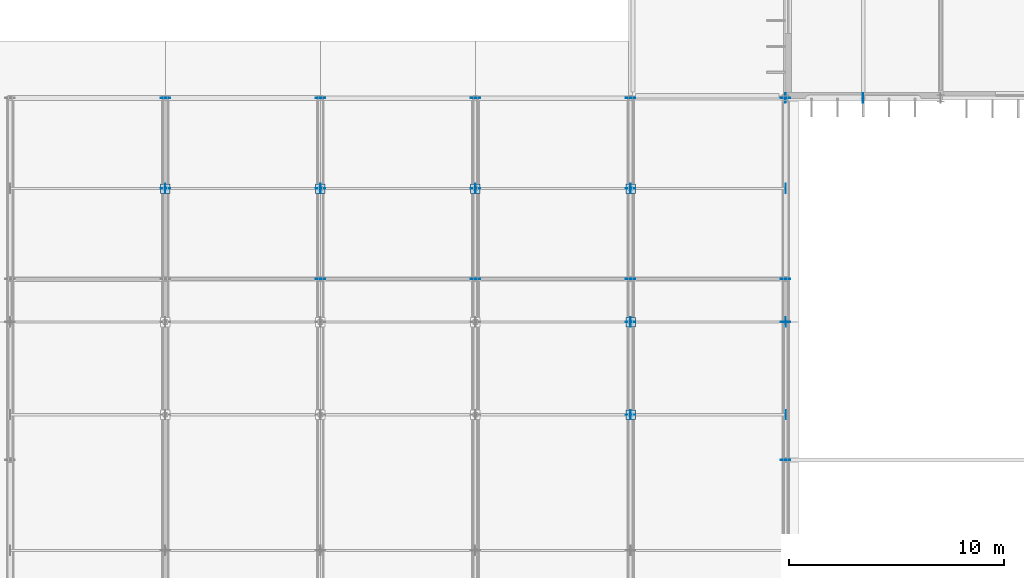
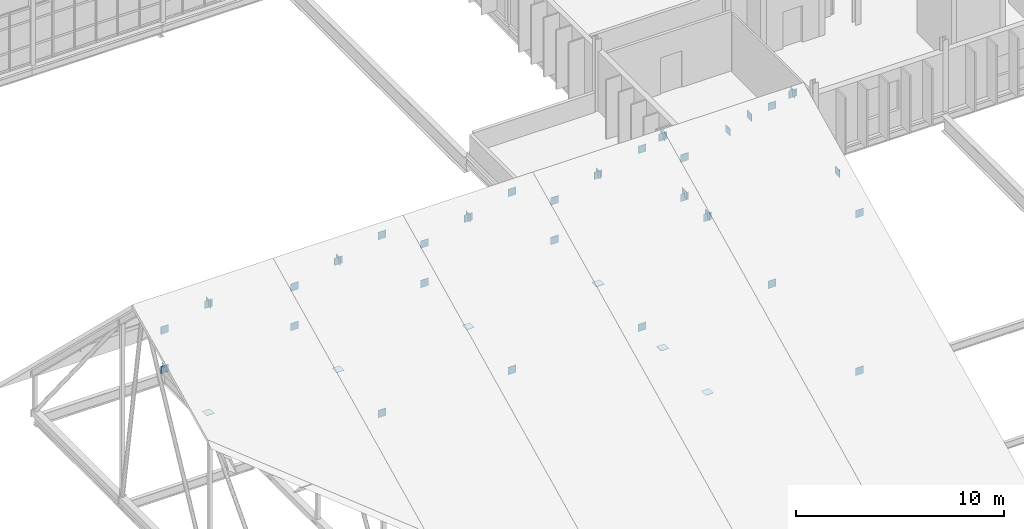
# One storey, part 71 of 99: 44 plates.
"""IFC4 building model written with IfcOpenShell, lengths in metres."""

from ifc_helpers import new_model, si_unit, direction, frame, origin, origin_2d, place, context, subcontext, project, spatial, rectangle, extrude, material, layer, layer_set, type_object, element, save


model = new_model("IFC4")

# Units and contexts
model_context = context("Model", 3, precision=1e-05, world=origin(), true_north=direction((0.0, 1.0)))
body_context = subcontext(model_context, "Body", "Model", "MODEL_VIEW")
ifc_project = project(units=[si_unit("LENGTHUNIT", "METRE"), si_unit("AREAUNIT", "SQUARE_METRE"), si_unit("VOLUMEUNIT", "CUBIC_METRE"), si_unit("PLANEANGLEUNIT", "RADIAN"), si_unit("MASSUNIT", "GRAM", prefix="KILO")], contexts=[model_context])

# Site, building, storey
site_placement = place(None, origin())
site = spatial("IfcSite", under=ifc_project, at=site_placement, CompositionType="ELEMENT")
building_placement = place(site_placement, origin())
building = spatial("IfcBuilding", under=site, at=building_placement, Name="Qelthora Terrace Specialist Clinic", CompositionType="ELEMENT")
storey_placement = place(building_placement, frame((0.0, 0.0, 9.0)))
storey = spatial("IfcBuildingStorey", under=building, at=storey_placement, Name="L02", CompositionType="ELEMENT", Elevation=9.0)

# Plates
ifc_material = material(Name="Steel S355", Category="steel")
ifc_layer_1 = layer(ifc_material, 0.011962890625)
ifc_layer_set_1 = layer_set([ifc_layer_1], Name="Steel S355")
plate_type_1 = type_object("IfcPlateType", Name="PLT-CAP-360X360X12", PredefinedType="USERDEFINED", material=ifc_layer_set_1)
for number, where, z_axis, x_axis, name in (
    (1, (64.800048828125, 29.39990234375, -0.05615234375), (0.0, 0.0, 1.0), (1.0, 0.0, 0.0), "Steel truss node plate GPLT-0024"),
    (2, (72.0, 29.39990234375, -0.05615234375), (0.0, 0.0, 1.0), (1.0, 0.0, 0.0), "Steel truss node plate GPLT-0040"),
    (3, (79.199951171875, 29.39990234375, -0.05615234375), (0.0, 0.0, 1.0), (1.0, 0.0, 0.0), "Steel truss node plate GPLT-0056"),
    (4, (86.39990234375, 23.199951171875, -0.05615234375), (0.0, 0.0, 1.0), (1.0, 0.0, 0.0), "Steel truss node plate GPLT-0069"),
    (5, (86.39990234375, 29.39990234375, -0.05615234375), (0.0, 0.0, 1.0), (1.0, 0.0, 0.0), "Steel truss node plate GPLT-0072"),
    (6, (86.39990234375, 18.89990234375, -0.05615234375), (0.0, 0.0, 1.0), (1.0, 0.0, 0.0), "Steel truss node plate GPLT-0075"),
):
    element("IfcPlate", number, at=place(storey_placement, frame(where, z_axis=z_axis, x_axis=x_axis)), inside=storey, type_object=plate_type_1, Name=name, ObjectType="GUSSET PLATE", PredefinedType="USERDEFINED", context=body_context, shape_type="SweptSolid", body=[
        extrude(rectangle(XDim=0.43994140625, YDim=0.43994140625, at=origin_2d()), origin(), (0.0, 0.0, 1.0), 0.011962890625),
    ])
for number, where, z_axis, x_axis, name in (
    (7, (86.39990234375, 18.89990234375, 10.109375), (0.0, 0.0, 1.0), (1.0, 0.0, 0.0), "Steel truss node plate GPLT-0103"),
    (8, (93.60009765625, 18.89990234375, 10.109375), (0.0, 0.0, 1.0), (1.0, 0.0, 0.0), "Steel truss node plate GPLT-0104"),
    (9, (86.39990234375, 23.199951171875, 12.154052734375), (0.0, 0.0, 1.0), (1.0, 0.0, 0.0), "Steel truss node plate GPLT-0109"),
    (10, (93.60009765625, 23.199951171875, 12.154052734375), (0.0, 0.0, 1.0), (1.0, 0.0, 0.0), "Steel truss node plate GPLT-0110"),
    (11, (64.800048828125, 29.39990234375, 6.163330078125), (0.0, 0.0, 1.0), (1.0, 0.0, 0.0), "Steel truss node plate GPLT-0112"),
    (12, (72.0, 29.39990234375, 6.163330078125), (0.0, 0.0, 1.0), (1.0, 0.0, 0.0), "Steel truss node plate GPLT-0113"),
    (13, (79.199951171875, 29.39990234375, 6.163330078125), (0.0, 0.0, 1.0), (1.0, 0.0, 0.0), "Steel truss node plate GPLT-0114"),
    (14, (86.39990234375, 29.39990234375, 6.163330078125), (0.0, 0.0, 1.0), (1.0, 0.0, 0.0), "Steel truss node plate GPLT-0115"),
    (15, (93.60009765625, 29.39990234375, 6.163330078125), (0.0, 0.0, 1.0), (1.0, 0.0, 0.0), "Steel truss node plate GPLT-0116"),
):
    element("IfcPlate", number, at=place(storey_placement, frame(where, z_axis=z_axis, x_axis=x_axis)), inside=storey, type_object=plate_type_1, Name=name, ObjectType="GUSSET PLATE", PredefinedType="USERDEFINED", context=body_context, shape_type="SweptSolid", body=[
        extrude(rectangle(XDim=0.011962890625, YDim=0.43994140625, at=origin_2d()), origin(), (0.0, 0.0, 1.0), 0.43994140625),
    ])
ifc_layer_2 = layer(ifc_material, 0.02001953125)
ifc_layer_set_2 = layer_set([ifc_layer_2], Name="Steel S355")
plate_type_2 = type_object("IfcPlateType", Name="PLT-GUS-480X480X20", PredefinedType="USERDEFINED", material=ifc_layer_set_2)
for number, where, z_axis, x_axis, name in (
    (16, (64.800048828125, 33.60009765625, -0.27001953125), (0.0, 0.0, 1.0), (1.0, 0.0, 0.0), "Steel truss node plate GPLT-0014"),
    (17, (64.800048828125, 29.39990234375, 6.09912109375), (0.0, 0.0, 1.0), (1.0, 0.0, 0.0), "Steel truss node plate GPLT-0023"),
    (18, (64.800048828125, 33.60009765625, 2.041015625), (0.0, 0.0, 1.0), (1.0, 0.0, 0.0), "Steel truss node plate GPLT-0025"),
    (19, (72.0, 25.199951171875, -0.27001953125), (0.0, 0.0, 1.0), (1.0, 0.0, 0.0), "Steel truss node plate GPLT-0029"),
    (20, (72.0, 33.60009765625, -0.27001953125), (0.0, 0.0, 1.0), (1.0, 0.0, 0.0), "Steel truss node plate GPLT-0030"),
    (21, (72.0, 25.199951171875, 10.157470703125), (0.0, 0.0, 1.0), (1.0, 0.0, 0.0), "Steel truss node plate GPLT-0038"),
    (22, (72.0, 29.39990234375, 6.09912109375), (0.0, 0.0, 1.0), (1.0, 0.0, 0.0), "Steel truss node plate GPLT-0039"),
    (23, (72.0, 33.60009765625, 2.041015625), (0.0, 0.0, 1.0), (1.0, 0.0, 0.0), "Steel truss node plate GPLT-0041"),
    (24, (79.199951171875, 25.199951171875, -0.27001953125), (0.0, 0.0, 1.0), (1.0, 0.0, 0.0), "Steel truss node plate GPLT-0045"),
    (25, (79.199951171875, 33.60009765625, -0.27001953125), (0.0, 0.0, 1.0), (1.0, 0.0, 0.0), "Steel truss node plate GPLT-0046"),
    (26, (79.199951171875, 25.199951171875, 10.157470703125), (0.0, 0.0, 1.0), (1.0, 0.0, 0.0), "Steel truss node plate GPLT-0054"),
    (27, (79.199951171875, 29.39990234375, 6.09912109375), (0.0, 0.0, 1.0), (1.0, 0.0, 0.0), "Steel truss node plate GPLT-0055"),
    (28, (79.199951171875, 33.60009765625, 2.041015625), (0.0, 0.0, 1.0), (1.0, 0.0, 0.0), "Steel truss node plate GPLT-0057"),
    (29, (86.39990234375, 25.199951171875, -0.27001953125), (0.0, 0.0, 1.0), (1.0, 0.0, 0.0), "Steel truss node plate GPLT-0061"),
    (30, (86.39990234375, 33.60009765625, -0.27001953125), (0.0, 0.0, 1.0), (1.0, 0.0, 0.0), "Steel truss node plate GPLT-0062"),
    (31, (86.39990234375, 18.89990234375, 9.993408203125), (0.0, 0.0, 1.0), (1.0, 0.0, 0.0), "Steel truss node plate GPLT-0067"),
    (32, (86.39990234375, 23.199951171875, 12.090087890625), (0.0, 0.0, 1.0), (1.0, 0.0, 0.0), "Steel truss node plate GPLT-0068"),
    (33, (86.39990234375, 25.199951171875, 10.157470703125), (0.0, 0.0, 1.0), (1.0, 0.0, 0.0), "Steel truss node plate GPLT-0070"),
    (34, (86.39990234375, 29.39990234375, 6.09912109375), (0.0, 0.0, 1.0), (1.0, 0.0, 0.0), "Steel truss node plate GPLT-0071"),
    (35, (86.39990234375, 33.60009765625, 2.041015625), (0.0, 0.0, 1.0), (1.0, 0.0, 0.0), "Steel truss node plate GPLT-0073"),
    (36, (93.60009765625, 16.800048828125, -0.27001953125), (0.0, 0.0, 1.0), (1.0, 0.0, 0.0), "Steel truss node plate GPLT-0078"),
    (37, (93.60009765625, 25.199951171875, -0.27001953125), (0.0, 0.0, 1.0), (1.0, 0.0, 0.0), "Steel truss node plate GPLT-0079"),
    (38, (93.60009765625, 33.60009765625, -0.27001953125), (0.0, 0.0, 1.0), (1.0, 0.0, 0.0), "Steel truss node plate GPLT-0080"),
    (39, (93.60009765625, 16.800048828125, 8.96923828125), (0.0, 0.0, 1.0), (1.0, 0.0, 0.0), "Steel truss node plate GPLT-0083"),
    (40, (93.60009765625, 23.199951171875, 12.090087890625), (0.0, 0.0, 1.0), (1.0, 0.0, 0.0), "Steel truss node plate GPLT-0084"),
    (41, (93.60009765625, 25.199951171875, 10.157470703125), (0.0, 0.0, 1.0), (1.0, 0.0, 0.0), "Steel truss node plate GPLT-0085"),
    (42, (93.60009765625, 33.60009765625, 2.041015625), (0.0, 0.0, 1.0), (1.0, 0.0, 0.0), "Steel truss node plate GPLT-0086"),
):
    element("IfcPlate", number, at=place(storey_placement, frame(where, z_axis=z_axis, x_axis=x_axis)), inside=storey, type_object=plate_type_2, Name=name, ObjectType="GUSSET PLATE", PredefinedType="USERDEFINED", context=body_context, shape_type="SweptSolid", body=[
        extrude(rectangle(XDim=0.43994140625, YDim=0.02001953125, at=origin_2d()), origin(), (0.0, 0.0, 1.0), 0.43994140625),
    ])
for number, where, z_axis, x_axis, name in (
    (43, (93.60009765625, 33.60009765625, -0.0400390625), (0.0, 0.0, 1.0), (1.0, 0.0, 0.0), "Steel truss node plate GPLT-0209"),
    (44, (97.199951171875, 33.60009765625, 3.22998046875), (0.0, 0.0, 1.0), (1.0, 0.0, 0.0), "Steel truss node plate GPLT-0210"),
):
    element("IfcPlate", number, at=place(storey_placement, frame(where, z_axis=z_axis, x_axis=x_axis)), inside=storey, type_object=plate_type_2, Name=name, ObjectType="GUSSET PLATE", PredefinedType="USERDEFINED", context=body_context, shape_type="SweptSolid", body=[
        extrude(rectangle(XDim=0.02001953125, YDim=0.43994140625, at=origin_2d()), origin(), (0.0, 0.0, 1.0), 0.43994140625),
    ])

save(model, "model.ifc")
